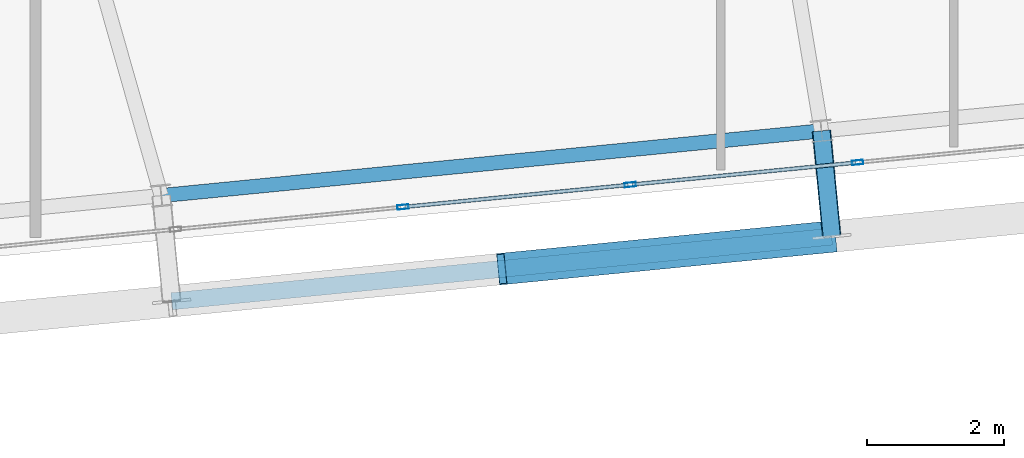
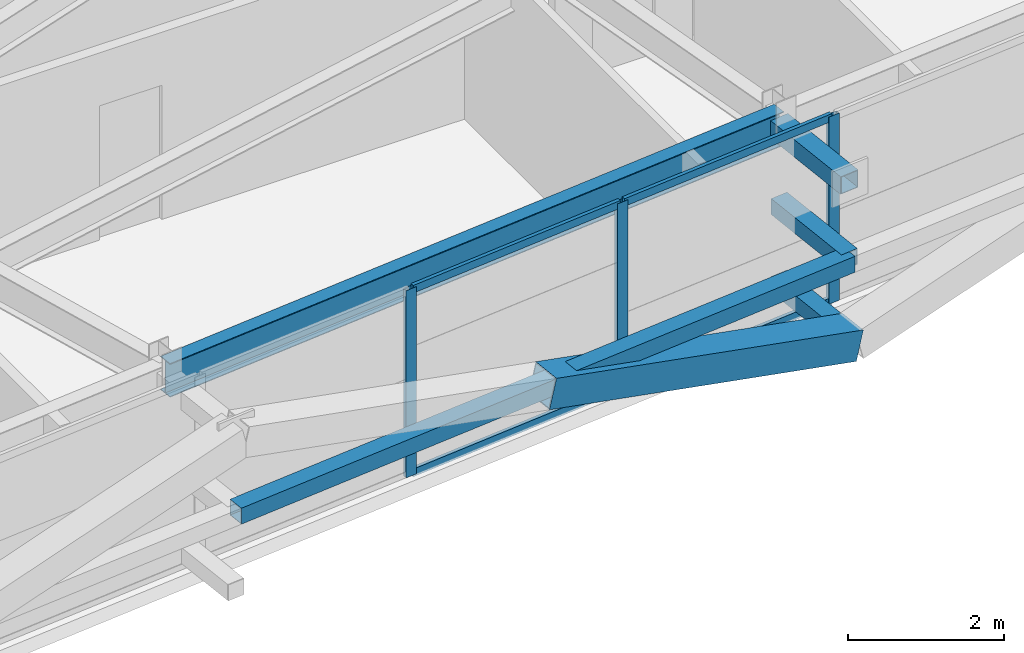
# One storey, part 18 of 52: 12 members, 1 beam, 1 element without a shape of its own.
"""IFC4 building model written with IfcOpenShell, lengths in metres."""

from ifc_helpers import new_model, si_unit, direction, frame, origin, origin_2d, place, context, subcontext, project, spatial, hollow_rectangle, i_section, extrude, source, transform, mapped, material, layer, layer_set, material_profile, profile_set, type_object, element, aggregate, save


model = new_model("IFC4")

# Units and contexts
model_context = context("Model", 3, precision=1e-05, world=origin(), true_north=direction((0.0, 1.0)))
body_context = subcontext(model_context, "Body", "Model", "MODEL_VIEW")
ifc_project = project(units=[si_unit("LENGTHUNIT", "METRE"), si_unit("AREAUNIT", "SQUARE_METRE"), si_unit("VOLUMEUNIT", "CUBIC_METRE"), si_unit("PLANEANGLEUNIT", "RADIAN"), si_unit("MASSUNIT", "GRAM", prefix="KILO")], contexts=[model_context])

# Site, building, storey
site_placement = place(None, origin())
site = spatial("IfcSite", under=ifc_project, at=site_placement, CompositionType="ELEMENT")
building_placement = place(site_placement, origin())
building = spatial("IfcBuilding", under=site, at=building_placement, Name="Taldren Reach Tower", CompositionType="ELEMENT")
storey_placement = place(building_placement, frame((0.0, 0.0, 93.449951171875)))
storey = spatial("IfcBuildingStorey", under=building, at=storey_placement, Name="L28", CompositionType="ELEMENT", Elevation=93.449951171875)

# Members
ifc_material_1 = material(Name="Steel Gr 450 (C450L0)", Category="steel")
ifc_material_profile_1 = material_profile(ifc_material_1, hollow_rectangle(XDim=0.27490234375, YDim=0.27490234375, WallThickness=0.00927734375, at=origin_2d()), Name="275x275x9.3SHS")
ifc_profile_set_1 = profile_set([ifc_material_profile_1], Name="Steel Gr 450 (C450L0)")
member_type_1 = type_object("IfcMemberType", Name="MB-TIE273", PredefinedType="STRUT", material=ifc_profile_set_1)
shared_shape_1 = source(origin(), body_context, "Body", "SweptSolid", [
    extrude(hollow_rectangle(XDim=0.27490234375, YDim=0.27490234375, WallThickness=0.00927734375, at=origin_2d()), origin(), (0.0, 0.0, 1.0), 1.5498046875),
])
member_1_placement = place(storey_placement, frame((53.469482421875, 3.698486328125, 2.650146484375), z_axis=(0.097507178627, -0.995234821595, 0.0), x_axis=(0.995234821595, 0.097507178627, 0.0)))
element("IfcMember", 1, at=member_1_placement, inside=storey, type_object=member_type_1, Name="Exoskeleton diaphragm tie strut B2-S5 L28", PredefinedType="STRUT", context=body_context, shape_type="MappedRepresentation", body=[
    mapped(shared_shape_1, transform((0.0, 0.0, 0.0), scale=1.0)),
])
ifc_material_2 = material(Name="Steel Gr 350 (C350L0)", Category="steel")
ifc_material_profile_2 = material_profile(ifc_material_2, hollow_rectangle(XDim=0.25, YDim=0.25, WallThickness=0.010009765625, at=origin_2d()), Name="250x250x10.0SHS")
ifc_profile_set_2 = profile_set([ifc_material_profile_2], Name="Steel Gr 350 (C350L0)")
member_type_2 = type_object("IfcMemberType", Name="MB-POST250", PredefinedType="POST", material=ifc_profile_set_2)
shared_shape_2 = source(origin(), body_context, "Body", "SweptSolid", [
    extrude(hollow_rectangle(XDim=0.25, YDim=0.25, WallThickness=0.010009765625, at=origin_2d()), origin(), (0.0, 0.0, 1.0), 1.5498046875),
])
for number, where, z_axis, x_axis, name in (
    (2, (53.469482421875, 3.698486328125, 0.219970703125), (0.097507178627, -0.995234821595, 0.0), (0.995234821595, 0.097507178627, 0.0), "Exoskeleton base diaphragm tie strut B2-S5 L28"),
    (3, (53.469482421875, 3.698486328125, 1.43505859375), (0.097507178627, -0.995234821595, 0.0), (0.995234821595, 0.097507178627, 0.0), "Exoskeleton mid-tier diaphragm tie B2-S5 L28"),
):
    element("IfcMember", number, at=place(storey_placement, frame(where, z_axis=z_axis, x_axis=x_axis)), inside=storey, type_object=member_type_2, Name=name, PredefinedType="POST", context=body_context, shape_type="MappedRepresentation", body=[
        mapped(shared_shape_2, transform((0.0, 0.0, 0.0), scale=1.0)),
    ])

# Beam
ifc_material_3 = material(Name="Steel Gr 350 (350PLUS)", Category="steel")
ifc_material_profile_3 = material_profile(ifc_material_3, i_section(OverallWidth=0.208984375, OverallDepth=0.528076171875, WebThickness=0.009521484375, FlangeThickness=0.01318359375, at=origin_2d()), Name="530UB82.0")
ifc_profile_set_3 = profile_set([ifc_material_profile_3], Name="Steel Gr 350 (350PLUS)")
beam_type = type_object("IfcBeamType", Name="SP-UB530B", PredefinedType="SPANDREL", material=ifc_profile_set_3)
shared_shape_3 = source(origin(), body_context, "Body", "SweptSolid", [
    extrude(i_section(OverallWidth=0.208984375, OverallDepth=0.528076171875, WebThickness=0.009521484375, FlangeThickness=0.01318359375, at=origin_2d()), origin(), (0.0, 0.0, 1.0), 9.68017578125),
])
beam_placement = place(storey_placement, frame((43.83544921875, 2.75390625, 2.666015625), z_axis=(0.995227852805, 0.097578281404, 0.0), x_axis=(-0.097578281404, 0.995227852805, 0.0)))
element("IfcBeam", 4, at=beam_placement, inside=storey, type_object=beam_type, Name="Perimeter spandrel B2 S4-S5 L28", PredefinedType="SPANDREL", context=body_context, shape_type="MappedRepresentation", body=[
    mapped(shared_shape_3, transform((0.0, 0.0, 0.0), scale=1.0)),
])

# Members
ifc_material_profile_4 = material_profile(ifc_material_1, hollow_rectangle(XDim=0.4599609375, YDim=0.4599609375, WallThickness=0.01611328125, at=origin_2d()), Name="460x460x16.0SHS")
ifc_profile_set_4 = profile_set([ifc_material_profile_4], Name="Steel Gr 450 (C450L0)")
member_type_3 = type_object("IfcMemberType", Name="MB-EXO457", PredefinedType="BRACE", material=ifc_profile_set_4)
shared_shape_4 = source(origin(), body_context, "Body", "SweptSolid", [
    extrude(hollow_rectangle(XDim=0.4599609375, YDim=0.4599609375, WallThickness=0.01611328125, at=origin_2d()), origin(), (0.0, 0.0, 1.0), 4.990234375),
])
member_2_placement = place(storey_placement, frame((53.62060546875, 2.156005859375, 0.219970703125), z_axis=(-0.965271056716, -0.094667992638, 0.243494883389), x_axis=(0.097605711627, -0.995225162995, 0.0)))
element("IfcMember", 5, at=member_2_placement, inside=storey, type_object=member_type_3, Name="Exoskeleton Diagrid Brace B2-S4 L28", PredefinedType="BRACE", context=body_context, shape_type="MappedRepresentation", body=[
    mapped(shared_shape_4, transform((0.0, 0.0, 0.0), scale=1.0)),
])
shared_shape_5 = source(origin(), body_context, "Body", "SweptSolid", [
    extrude(hollow_rectangle(XDim=0.25, YDim=0.25, WallThickness=0.010009765625, at=origin_2d()), origin(), (0.0, 0.0, 1.0), 9.679931640625),
])
member_3_placement = place(storey_placement, frame((43.98681640625, 1.21142578125, 1.43505859375), z_axis=(0.995227612658, 0.097580730699, 0.0), x_axis=(-0.097580730699, 0.995227612658, 0.0)))
element("IfcMember", 6, at=member_3_placement, inside=storey, type_object=member_type_2, Name="Exoskeleton mid-height ring chord B2-S4 L28", PredefinedType="POST", context=body_context, shape_type="MappedRepresentation", body=[
    mapped(shared_shape_5, transform((0.0, 0.0, 0.0), scale=1.0)),
])

# Curtain wall, members
ifc_material_4 = material(Name="Aluminium and Low-E Glass Unitised System", Category="aluminium")
ifc_layer = layer(ifc_material_4, 0.159912109375)
ifc_layer_set = layer_set([ifc_layer], Name="Aluminium and Low-E Glass Unitised System")
curtain_wall_type = type_object("IfcCurtainWallType", Name="CW-SYS-3", PredefinedType="NOTDEFINED", material=ifc_layer_set)
curtain_wall_placement = place(storey_placement, origin())
curtain_wall = element("IfcCurtainWall", 7, at=curtain_wall_placement, inside=storey, type_object=curtain_wall_type, Name="Unitised curtain wall CW-L28-S", PredefinedType="NOTDEFINED")
ifc_material_5 = material(Name="Anodised Aluminium 6063-T6", Category="aluminium")
ifc_material_profile_5 = material_profile(ifc_material_5, hollow_rectangle(XDim=0.06494140625, YDim=0.1650390625, WallThickness=0.00390625, at=origin_2d()), Name="ALU-165x65x4RHS")
ifc_profile_set_5 = profile_set([ifc_material_profile_5], Name="Anodised Aluminium 6063-T6")
member_type_4 = type_object("IfcMemberType", Name="CW-MUL-165", PredefinedType="MULLION", material=ifc_profile_set_5)
shared_shape_6 = source(origin(), body_context, "Body", "SweptSolid", [
    extrude(hollow_rectangle(XDim=0.06494140625, YDim=0.1650390625, WallThickness=0.00390625, at=origin_2d()), origin(), (0.0, 0.0, 1.0), 2.929931640625),
])
member_4_placement = place(storey_placement, frame((47.362060546875, 2.587158203125, 0.0), z_axis=(0.0, 0.0, 1.0), x_axis=(-0.097582999046, 0.995227390247, 0.0)))
member_4 = element("IfcMember", 8, at=member_4_placement, type_object=member_type_4, Name="CW-3 mullion 11", PredefinedType="MULLION", context=body_context, shape_type="MappedRepresentation", body=[
    mapped(shared_shape_6, transform((0.0, 0.0, 0.0), scale=1.0)),
])
member_5_placement = place(storey_placement, frame((50.679443359375, 2.91259765625, 0.0), z_axis=(0.0, 0.0, 1.0), x_axis=(-0.097582999046, 0.995227390247, 0.0)))
member_5 = element("IfcMember", 9, at=member_5_placement, type_object=member_type_4, Name="CW-3 mullion 12", PredefinedType="MULLION", context=body_context, shape_type="MappedRepresentation", body=[
    mapped(shared_shape_6, transform((0.0, 0.0, 0.0), scale=1.0)),
])
member_6_placement = place(storey_placement, frame((53.996826171875, 3.23779296875, 0.0), z_axis=(0.0, 0.0, 1.0), x_axis=(-0.097582999046, 0.995227390247, 0.0)))
member_6 = element("IfcMember", 10, at=member_6_placement, type_object=member_type_4, Name="CW-3 mullion 13", PredefinedType="MULLION", context=body_context, shape_type="MappedRepresentation", body=[
    mapped(shared_shape_6, transform((0.0, 0.0, 0.0), scale=1.0)),
])
ifc_material_profile_6 = material_profile(ifc_material_5, hollow_rectangle(XDim=0.054931640625, YDim=0.1201171875, WallThickness=0.0029296875, at=origin_2d()), Name="ALU-120x55x3RHS")
ifc_profile_set_6 = profile_set([ifc_material_profile_6], Name="Anodised Aluminium 6063-T6")
member_type_5 = type_object("IfcMemberType", Name="CW-TRN-135", PredefinedType="USERDEFINED", material=ifc_profile_set_6)
shared_shape_7 = source(origin(), body_context, "Body", "SweptSolid", [
    extrude(hollow_rectangle(XDim=0.054931640625, YDim=0.1201171875, WallThickness=0.0029296875, at=origin_2d()), origin(), (0.0, 0.0, 1.0), 3.268310546875),
])
member_7_placement = place(storey_placement, frame((47.394287109375, 2.59033203125, 0.027587890625), z_axis=(0.995222549564, 0.097632355496, 0.0), x_axis=(-0.097632355496, 0.995222549564, 0.0)))
member_7 = element("IfcMember", 11, at=member_7_placement, type_object=member_type_5, Name="CW-3 transom 11.1", ObjectType="TRANSOM", PredefinedType="USERDEFINED", context=body_context, shape_type="MappedRepresentation", body=[
    mapped(shared_shape_7, transform((0.0, 0.0, 0.0), scale=1.0)),
])
member_8_placement = place(storey_placement, frame((47.394287109375, 2.59033203125, 2.902587890625), z_axis=(0.995222549564, 0.097632355496, 0.0), x_axis=(-0.097632355496, 0.995222549564, 0.0)))
member_8 = element("IfcMember", 12, at=member_8_placement, type_object=member_type_5, Name="CW-3 transom 11.2", ObjectType="TRANSOM", PredefinedType="USERDEFINED", context=body_context, shape_type="MappedRepresentation", body=[
    mapped(shared_shape_7, transform((0.0, 0.0, 0.0), scale=1.0)),
])
shared_shape_8 = source(origin(), body_context, "Body", "SweptSolid", [
    extrude(hollow_rectangle(XDim=0.054931640625, YDim=0.1201171875, WallThickness=0.0029296875, at=origin_2d()), origin(), (0.0, 0.0, 1.0), 3.2685546875),
])
member_9_placement = place(storey_placement, frame((50.711669921875, 2.915771484375, 0.027587890625), z_axis=(0.99523051601, 0.097551114824, 0.0), x_axis=(-0.097551114824, 0.99523051601, 0.0)))
member_9 = element("IfcMember", 13, at=member_9_placement, type_object=member_type_5, Name="CW-3 transom 12.1", ObjectType="TRANSOM", PredefinedType="USERDEFINED", context=body_context, shape_type="MappedRepresentation", body=[
    mapped(shared_shape_8, transform((0.0, 0.0, 0.0), scale=1.0)),
])
member_10_placement = place(storey_placement, frame((50.711669921875, 2.915771484375, 2.902587890625), z_axis=(0.99523051601, 0.097551114824, 0.0), x_axis=(-0.097551114824, 0.99523051601, 0.0)))
member_10 = element("IfcMember", 14, at=member_10_placement, type_object=member_type_5, Name="CW-3 transom 12.2", ObjectType="TRANSOM", PredefinedType="USERDEFINED", context=body_context, shape_type="MappedRepresentation", body=[
    mapped(shared_shape_8, transform((0.0, 0.0, 0.0), scale=1.0)),
])
aggregate(curtain_wall, [member_4, member_5, member_6, member_7, member_8, member_9, member_10])

save(model, "model.ifc")
